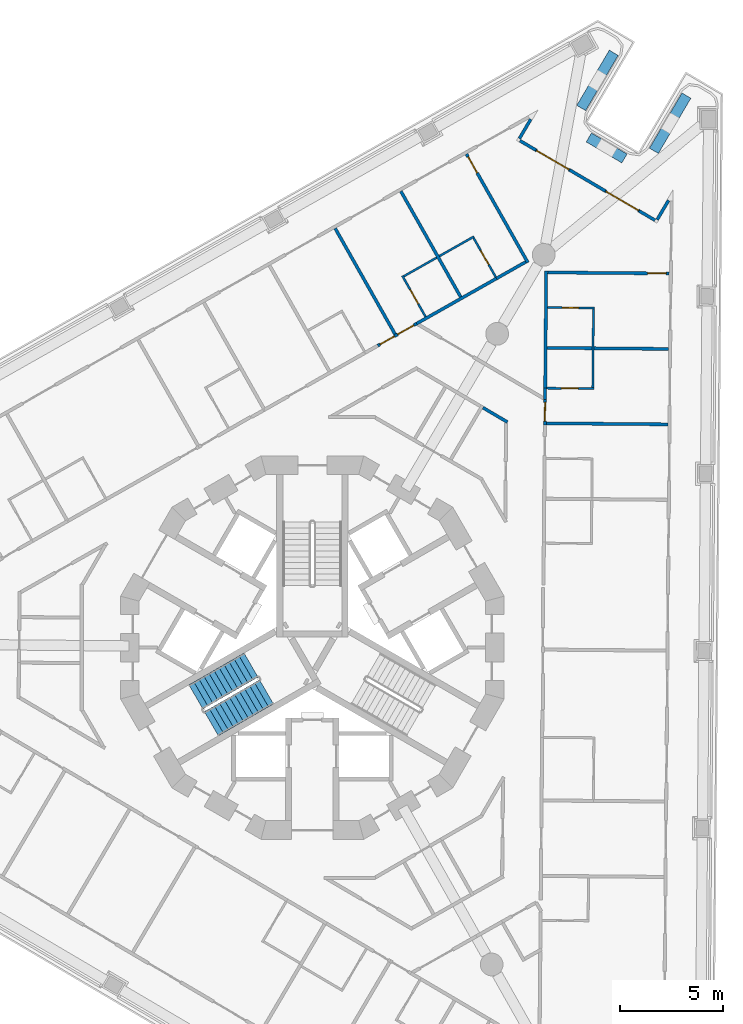
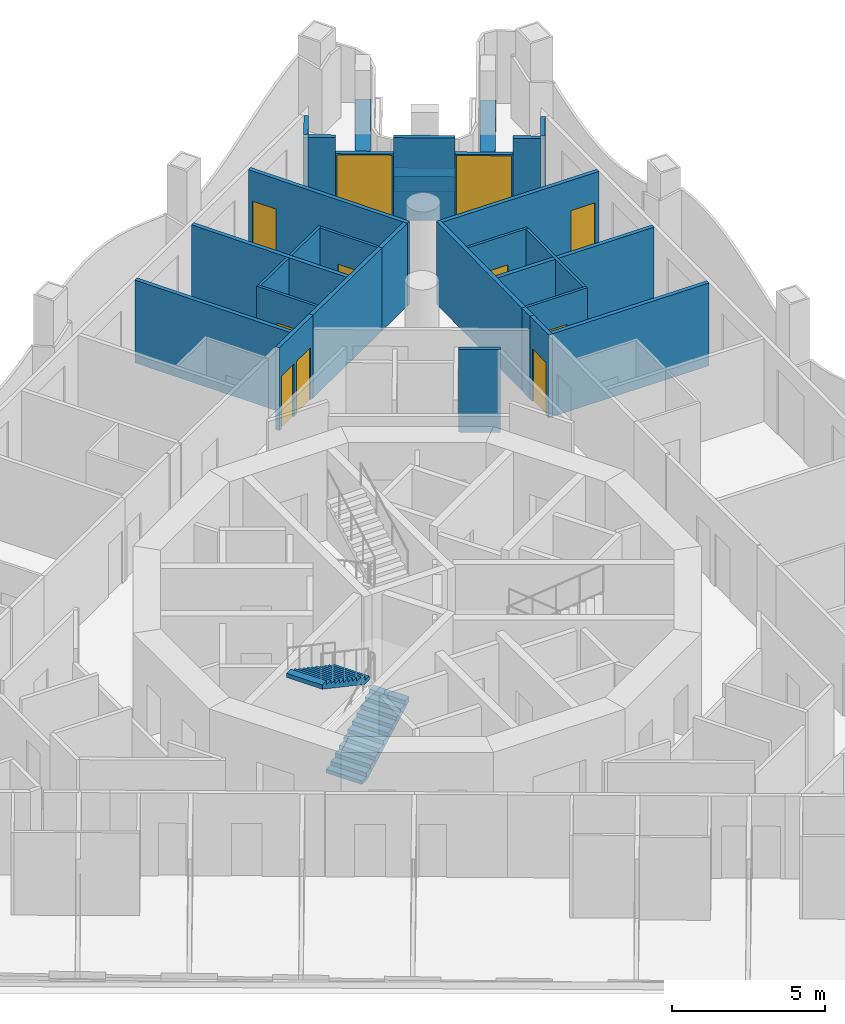
# One storey, part 10 of 18: 30 walls, 11 doors, 2 stair flights, 11 openings, 1 element without a shape of its own.
"""IFC4 building model written with IfcOpenShell, lengths in metres."""

from ifc_helpers import new_model, si_unit, direction, frame, frame_2d, origin, place, context, subcontext, project, spatial, polyline, rectangle, outline, extrude, material, layer, layer_set, type_object, element, fill, aggregate, save


model = new_model("IFC4")

# Units and contexts
model_context = context("Model", 3, precision=1e-05, world=origin(), true_north=direction((0.0, 1.0)))
body_context = subcontext(model_context, "Body", "Model", "MODEL_VIEW")
ifc_project = project(units=[si_unit("LENGTHUNIT", "METRE"), si_unit("AREAUNIT", "SQUARE_METRE"), si_unit("VOLUMEUNIT", "CUBIC_METRE"), si_unit("PLANEANGLEUNIT", "RADIAN"), si_unit("MASSUNIT", "GRAM", prefix="KILO")], contexts=[model_context])

# Site, building, storey
site_placement = place(None, origin())
site = spatial("IfcSite", under=ifc_project, at=site_placement, CompositionType="ELEMENT")
building_placement = place(site_placement, origin())
building = spatial("IfcBuilding", under=site, at=building_placement, Name="Trine Commons Tower", CompositionType="ELEMENT")
storey_placement = place(building_placement, frame((0.0, 0.0, 175.5)))
storey = spatial("IfcBuildingStorey", under=building, at=storey_placement, Name="L45", CompositionType="ELEMENT", Elevation=175.5)

# Walls
ifc_material_1 = material(Name="Aluminium-framed insulated wall panel", Category="aluminium")
ifc_layer_1 = layer(ifc_material_1, 0.14990234375)
ifc_layer_set_1 = layer_set([ifc_layer_1], Name="Aluminium-framed insulated wall panel")
wall_type_1 = type_object("IfcWallType", Name="Glazed frame wall 150, EI 60", PredefinedType="SOLIDWALL", material=ifc_layer_set_1)
wall_1_placement = place(storey_placement, frame((90.63720703125, 88.173583984375, 0.0), z_axis=(0.0, 0.0, 1.0), x_axis=(-0.507591242276, -0.861598009958, 0.0)))
element("IfcWall", 1, at=wall_1_placement, inside=storey, type_object=wall_type_1, Name="Glazed frame wall R5", PredefinedType="SOLIDWALL", context=body_context, shape_type="SweptSolid", body=[
    extrude(outline(polyline([(0.1494140625, 0.074951171875), (0.1494140625, -0.074951171875), (1.235107421875, -0.074951171875), (1.235107421875, 0.074951171875), (0.1494140625, 0.074951171875)])), origin(), (0.0, 0.0, 1.0), 3.300048828125),
])
wall_2_placement = place(storey_placement, frame((89.9423828125, 87.062744140625, 0.0), z_axis=(0.0, 0.0, 1.0), x_axis=(0.861601384654, -0.50758551394, 0.0)))
element("IfcWall", 2, at=wall_2_placement, inside=storey, type_object=wall_type_1, Name="Glazed frame wall P2.1", PredefinedType="SOLIDWALL", context=body_context, shape_type="SweptSolid", body=[
    extrude(outline(polyline([(0.110107421875, -0.074951171875), (1.0, -0.074951171875), (1.0, 0.074951171875), (0.110107421875, 0.074951171875), (0.110107421875, -0.074951171875)])), origin(), (0.0, 0.0, 1.0), 3.300048828125),
])

# Wall, opening, door
wall_3_placement = place(storey_placement, frame((90.803955078125, 86.55517578125, 0.0), z_axis=(0.0, 0.0, 1.0), x_axis=(0.861603693734, -0.50758159437, 0.0)))
wall_3 = element("IfcWall", 3, at=wall_3_placement, inside=storey, type_object=wall_type_1, Name="Glazed frame wall P2.2", PredefinedType="SOLIDWALL", context=body_context, shape_type="SweptSolid", body=[
    extrude(outline(polyline([(0.0, -0.074951171875), (1.89990234375, -0.074951171875), (1.89990234375, 0.074951171875), (0.0, 0.074951171875), (0.0, -0.074951171875)])), origin(), (0.0, 0.0, 1.0), 2.64990234375),
])
opening_1_placement = place(wall_3_placement, frame((0.050048828125, 0.0, 0.0)))
opening_1 = element("IfcOpeningElement", 4, at=opening_1_placement, cuts=wall_3, Name="Opening BD-5P2-01", PredefinedType="OPENING", context=body_context, shape_type="SweptSolid", body=[
    extrude(rectangle(XDim=1.800048828125, YDim=2.60009765625, at=frame_2d((0.89990234375, 1.300048828125))), frame((0.0, 0.0849609375, 0.0), z_axis=(0.0, -1.0, 0.0), x_axis=(1.0, 0.0, 0.0)), (0.0, 0.0, 1.0), 0.169921875),
])
ifc_material_2 = material(Name="Anodised aluminium frame with double glazing", Category="aluminium")
door_type_1 = type_object("IfcDoorType", Name="Sliding loggia door 1800x2600", OperationType="SLIDING_TO_LEFT", PredefinedType="DOOR", material=ifc_material_2)
door_1_placement = place(opening_1_placement, origin())
door_1 = element("IfcDoor", 5, at=door_1_placement, inside=storey, type_object=door_type_1, Name="Loggia door P2 1", OperationType="SLIDING_TO_LEFT", OverallHeight=2.60009765625, OverallWidth=1.800048828125, PredefinedType="DOOR", context=body_context, shape_type="SweptSolid", body=[
    extrude(rectangle(XDim=1.800048828125, YDim=2.60009765625, at=frame_2d((0.89990234375, 1.300048828125))), frame((0.0, 0.02490234375, 0.0), z_axis=(0.0, -1.0, 0.0), x_axis=(1.0, 0.0, 0.0)), (0.0, 0.0, 1.0), 0.050048828125),
])
fill(opening_1, door_1)

# Wall
wall_4_placement = place(storey_placement, frame((92.44091796875, 85.5908203125, 0.0), z_axis=(0.0, 0.0, 1.0), x_axis=(0.861632831324, -0.507532130988, 0.0)))
element("IfcWall", 6, at=wall_4_placement, inside=storey, type_object=wall_type_1, Name="Glazed frame wall P2.3", PredefinedType="SOLIDWALL", context=body_context, shape_type="SweptSolid", body=[
    extrude(outline(polyline([(0.0, -0.074951171875), (2.0, -0.074951171875), (2.0, 0.074951171875), (0.0, 0.074951171875), (0.0, -0.074951171875)])), origin(), (0.0, 0.0, 1.0), 3.300048828125),
])

# Wall, opening, door
wall_5_placement = place(storey_placement, frame((94.164306640625, 84.57568359375, 0.0), z_axis=(0.0, 0.0, 1.0), x_axis=(0.86165989029, -0.507486190418, 0.0)))
wall_5 = element("IfcWall", 7, at=wall_5_placement, inside=storey, type_object=wall_type_1, Name="Glazed frame wall P2.4", PredefinedType="SOLIDWALL", context=body_context, shape_type="SweptSolid", body=[
    extrude(outline(polyline([(0.0, -0.074951171875), (1.89990234375, -0.074951171875), (1.89990234375, 0.074951171875), (0.0, 0.074951171875), (0.0, -0.074951171875)])), origin(), (0.0, 0.0, 1.0), 2.64990234375),
])
opening_2_placement = place(wall_5_placement, frame((0.050048828125, 0.0, 0.0)))
opening_2 = element("IfcOpeningElement", 8, at=opening_2_placement, cuts=wall_5, Name="Opening BD-5P2-02", PredefinedType="OPENING", context=body_context, shape_type="SweptSolid", body=[
    extrude(rectangle(XDim=1.800048828125, YDim=2.60009765625, at=frame_2d((0.89990234375, 1.300048828125))), frame((0.0, 0.0849609375, 0.0), z_axis=(0.0, -1.0, 0.0), x_axis=(1.0, 0.0, 0.0)), (0.0, 0.0, 1.0), 0.169921875),
])
door_2_placement = place(opening_2_placement, origin())
door_2 = element("IfcDoor", 9, at=door_2_placement, inside=storey, type_object=door_type_1, Name="Loggia door P2 2", OperationType="SLIDING_TO_LEFT", OverallHeight=2.60009765625, OverallWidth=1.800048828125, PredefinedType="DOOR", context=body_context, shape_type="SweptSolid", body=[
    extrude(rectangle(XDim=1.800048828125, YDim=2.60009765625, at=frame_2d((0.89990234375, 1.300048828125))), frame((0.0, 0.02490234375, 0.0), z_axis=(0.0, -1.0, 0.0), x_axis=(1.0, 0.0, 0.0)), (0.0, 0.0, 1.0), 0.050048828125),
])
fill(opening_2, door_2)

# Walls
wall_6_placement = place(storey_placement, frame((95.80126953125, 83.611572265625, 0.0), z_axis=(0.0, 0.0, 1.0), x_axis=(0.861664268073, -0.507478757315, 0.0)))
element("IfcWall", 10, at=wall_6_placement, inside=storey, type_object=wall_type_1, Name="Glazed frame wall P2.5", PredefinedType="SOLIDWALL", context=body_context, shape_type="SweptSolid", body=[
    extrude(outline(polyline([(0.889892578125, 0.074951171875), (0.0, 0.074951171875), (0.0, -0.074951171875), (0.889892578125, -0.074951171875), (0.889892578125, 0.074951171875)])), origin(), (0.0, 0.0, 1.0), 3.300048828125),
])
wall_7_placement = place(storey_placement, frame((96.614990234375, 83.091552734375, 0.0), z_axis=(0.0, 0.0, 1.0), x_axis=(0.507511857062, 0.86164477306, 0.0)))
element("IfcWall", 11, at=wall_7_placement, inside=storey, type_object=wall_type_1, Name="Glazed frame wall R7", PredefinedType="SOLIDWALL", context=body_context, shape_type="SweptSolid", body=[
    extrude(outline(polyline([(0.110107421875, 0.074951171875), (0.110107421875, -0.074951171875), (1.19580078125, -0.074951171875), (1.19580078125, 0.074951171875), (0.110107421875, 0.074951171875)])), origin(), (0.0, 0.0, 1.0), 3.300048828125),
])
ifc_material_3 = material(Name="Planter trough, precast concrete C40/50", Category="concrete")
ifc_layer_2 = layer(ifc_material_3, 0.5)
ifc_layer_set_2 = layer_set([ifc_layer_2], Name="Planter trough, precast concrete C40/50")
wall_type_2 = type_object("IfcWallType", Name="Planter trough 500x600", PredefinedType="PARAPET", material=ifc_layer_set_2)
wall_8_placement = place(storey_placement, frame((94.572509765625, 91.25830078125, 0.0), z_axis=(0.0, 0.0, 1.0), x_axis=(-0.507587916184, -0.861599969443, 0.0)))
element("IfcWall", 12, at=wall_8_placement, inside=storey, type_object=wall_type_2, Name="Planter 4", PredefinedType="PARAPET", context=body_context, shape_type="SweptSolid", body=[
    extrude(rectangle(XDim=3.099853515625, YDim=0.5, at=frame_2d((1.5498046875, 0.0))), origin(), (0.0, 0.0, 1.0), 0.60009765625),
])
wall_9_placement = place(storey_placement, frame((93.3671875, 87.163330078125, 0.0), z_axis=(0.0, 0.0, 1.0), x_axis=(0.861632831324, -0.507532130988, 0.0)))
element("IfcWall", 13, at=wall_9_placement, inside=storey, type_object=wall_type_2, Name="Planter 5", PredefinedType="PARAPET", context=body_context, shape_type="SweptSolid", body=[
    extrude(rectangle(XDim=2.000244140625, YDim=0.5, at=frame_2d((1.0, 0.0))), origin(), (0.0, 0.0, 1.0), 0.60009765625),
])
wall_10_placement = place(storey_placement, frame((96.514404296875, 86.5166015625, 0.0), z_axis=(0.0, 0.0, 1.0), x_axis=(0.507587916184, 0.861599969443, 0.0)))
element("IfcWall", 14, at=wall_10_placement, inside=storey, type_object=wall_type_2, Name="Planter 6", PredefinedType="PARAPET", context=body_context, shape_type="SweptSolid", body=[
    extrude(rectangle(XDim=3.099853515625, YDim=0.5, at=frame_2d((1.5498046875, 0.0))), origin(), (0.0, 0.0, 1.0), 0.60009765625),
])
ifc_material_4 = material(Name="Gypsum plasterboard on steel stud", Category="steel")
ifc_layer_3 = layer(ifc_material_4, 0.14990234375)
ifc_layer_set_3 = layer_set([ifc_layer_3], Name="Gypsum plasterboard on steel stud")
wall_type_3 = type_object("IfcWallType", Name="Unit and corridor wall 150 mm, EI 60", PredefinedType="PARTITIONING", material=ifc_layer_set_3)
wall_11_placement = place(storey_placement, frame((81.103759765625, 82.769287109375, 0.0), z_axis=(0.0, 0.0, 1.0), x_axis=(0.492361245758, -0.870390948756, 0.0)))
element("IfcWall", 15, at=wall_11_placement, inside=storey, type_object=wall_type_3, Name="Partition 074", PredefinedType="PARTITIONING", context=body_context, shape_type="SweptSolid", body=[
    extrude(rectangle(XDim=5.87451171875, YDim=0.14990234375, at=frame_2d((2.937255859375, 0.0))), origin(), (0.0, 0.0, 1.0), 3.300048828125),
])

# Wall, openings, doors
wall_12_placement = place(storey_placement, frame((83.159912109375, 77.096923828125, 0.0), z_axis=(0.0, 0.0, 1.0), x_axis=(0.870310669697, 0.49250313523, 0.0)))
wall_12 = element("IfcWall", 16, at=wall_12_placement, inside=storey, type_object=wall_type_3, Name="Partition 080", PredefinedType="PARTITIONING", context=body_context, shape_type="SweptSolid", body=[
    extrude(rectangle(XDim=2.164794921875, YDim=0.14990234375, at=frame_2d((1.08251953125, 0.0))), origin(), (0.0, 0.0, 1.0), 3.300048828125),
])
opening_3_placement = place(wall_12_placement, frame((0.123046875, 0.0, 0.0)))
opening_3 = element("IfcOpeningElement", 17, at=opening_3_placement, cuts=wall_12, Name="Opening D-5B12", PredefinedType="OPENING", context=body_context, shape_type="SweptSolid", body=[
    extrude(rectangle(XDim=0.800048828125, YDim=2.10009765625, at=frame_2d((0.39990234375, 1.050048828125))), frame((0.0, 0.0849609375, 0.0), z_axis=(0.0, -1.0, 0.0), x_axis=(1.0, 0.0, 0.0)), (0.0, 0.0, 1.0), 0.169921875),
])
opening_4_placement = place(wall_12_placement, frame((1.10302734375, 0.0, 0.0)))
opening_4 = element("IfcOpeningElement", 18, at=opening_4_placement, cuts=wall_12, Name="Opening D-5B13", PredefinedType="OPENING", context=body_context, shape_type="SweptSolid", body=[
    extrude(rectangle(XDim=0.89990234375, YDim=2.10009765625, at=frame_2d((0.449951171875, 1.050048828125))), frame((0.0, 0.0849609375, 0.0), z_axis=(0.0, -1.0, 0.0), x_axis=(1.0, 0.0, 0.0)), (0.0, 0.0, 1.0), 0.169921875),
])
ifc_material_5 = material(Name="Timber fire door set", Category="wood")
door_type_2 = type_object("IfcDoorType", Name="Bedroom door 800 x 2100, FD30S", OperationType="NOTDEFINED", PredefinedType="DOOR", material=ifc_material_5)
door_3_placement = place(opening_3_placement, origin())
door_3 = element("IfcDoor", 19, at=door_3_placement, inside=storey, type_object=door_type_2, Name="Door D-5B12", OperationType="SINGLE_SWING_LEFT", OverallHeight=2.10009765625, OverallWidth=0.800048828125, PredefinedType="DOOR", context=body_context, shape_type="SweptSolid", body=[
    extrude(rectangle(XDim=0.800048828125, YDim=2.10009765625, at=frame_2d((0.39990234375, 1.050048828125))), frame((0.0, 0.02490234375, 0.0), z_axis=(0.0, -1.0, 0.0), x_axis=(1.0, 0.0, 0.0)), (0.0, 0.0, 1.0), 0.050048828125),
])
fill(opening_3, door_3)
door_type_3 = type_object("IfcDoorType", Name="Bedroom door 900 x 2100, FD30S", OperationType="NOTDEFINED", PredefinedType="DOOR", material=ifc_material_5)
door_4_placement = place(opening_4_placement, origin())
door_4 = element("IfcDoor", 20, at=door_4_placement, inside=storey, type_object=door_type_3, Name="Door D-5B13", OperationType="SINGLE_SWING_RIGHT", OverallHeight=2.10009765625, OverallWidth=0.89990234375, PredefinedType="DOOR", context=body_context, shape_type="SweptSolid", body=[
    extrude(rectangle(XDim=0.89990234375, YDim=2.10009765625, at=frame_2d((0.449951171875, 1.050048828125))), frame((0.0, 0.02490234375, 0.0), z_axis=(0.0, -1.0, 0.0), x_axis=(1.0, 0.0, 0.0)), (0.0, 0.0, 1.0), 0.050048828125),
])
fill(opening_4, door_4)

# Walls
wall_13_placement = place(storey_placement, frame((84.27880859375, 84.565185546875, 0.0), z_axis=(0.0, 0.0, 1.0), x_axis=(0.4923790567, -0.870380873252, 0.0)))
element("IfcWall", 21, at=wall_13_placement, inside=storey, type_object=wall_type_3, Name="Partition 085", PredefinedType="PARTITIONING", context=body_context, shape_type="SweptSolid", body=[
    extrude(rectangle(XDim=5.874267578125, YDim=0.14990234375, at=frame_2d((2.93701171875, 0.0))), origin(), (0.0, 0.0, 1.0), 3.300048828125),
])
wall_14_placement = place(storey_placement, frame((85.0439453125, 78.1630859375, 0.0), z_axis=(0.0, 0.0, 1.0), x_axis=(0.870383507411, 0.492374400256, 0.0)))
element("IfcWall", 22, at=wall_14_placement, inside=storey, type_object=wall_type_3, Name="Partition 094", PredefinedType="PARTITIONING", context=body_context, shape_type="SweptSolid", body=[
    extrude(rectangle(XDim=4.4892578125, YDim=0.14990234375, at=frame_2d((2.24462890625, 0.0))), origin(), (0.0, 0.0, 1.0), 3.300048828125),
])

# Wall, opening, door
wall_15_placement = place(storey_placement, frame((87.45263671875, 86.361083984375, 0.0), z_axis=(0.0, 0.0, 1.0), x_axis=(0.492389730591, -0.870374834889, 0.0)))
wall_15 = element("IfcWall", 23, at=wall_15_placement, inside=storey, type_object=wall_type_3, Name="Partition 105", PredefinedType="PARTITIONING", context=body_context, shape_type="SweptSolid", body=[
    extrude(rectangle(XDim=6.0244140625, YDim=0.14990234375, at=frame_2d((3.01220703125, 0.0))), origin(), (0.0, 0.0, 1.0), 3.300048828125),
])
opening_5_placement = place(wall_15_placement, frame((0.14990234375, 0.0, 0.0)))
opening_5 = element("IfcOpeningElement", 24, at=opening_5_placement, cuts=wall_15, Name="Opening D-5B14", PredefinedType="OPENING", context=body_context, shape_type="SweptSolid", body=[
    extrude(rectangle(XDim=0.89990234375, YDim=2.10009765625, at=frame_2d((0.449951171875, 1.050048828125))), frame((0.0, 0.0849609375, 0.0), z_axis=(0.0, -1.0, 0.0), x_axis=(1.0, 0.0, 0.0)), (0.0, 0.0, 1.0), 0.169921875),
])
door_5_placement = place(opening_5_placement, frame((0.89990234375, 0.0, 0.0), z_axis=(0.0, 0.0, 1.0), x_axis=(-1.0, 0.0, 0.0)))
door_5 = element("IfcDoor", 25, at=door_5_placement, inside=storey, type_object=door_type_3, Name="Door D-5B14", OperationType="SINGLE_SWING_RIGHT", OverallHeight=2.10009765625, OverallWidth=0.89990234375, PredefinedType="DOOR", context=body_context, shape_type="SweptSolid", body=[
    extrude(rectangle(XDim=0.89990234375, YDim=2.10009765625, at=frame_2d((0.449951171875, 1.050048828125))), frame((0.0, 0.02490234375, 0.0), z_axis=(0.0, -1.0, 0.0), x_axis=(1.0, 0.0, 0.0)), (0.0, 0.0, 1.0), 0.050048828125),
])
fill(opening_5, door_5)

# Walls
wall_16_placement = place(storey_placement, frame((88.24951171875, 74.098876953125, 0.0), z_axis=(0.0, 0.0, 1.0), x_axis=(0.861463535888, -0.507819432805, 0.0)))
element("IfcWall", 26, at=wall_16_placement, inside=storey, type_object=wall_type_3, Name="Partition 111", PredefinedType="PARTITIONING", context=body_context, shape_type="SweptSolid", body=[
    extrude(rectangle(XDim=1.37451171875, YDim=0.14990234375, at=frame_2d((0.687255859375, 0.0))), origin(), (0.0, 0.0, 1.0), 3.300048828125),
])
wall_17_placement = place(storey_placement, frame((88.902099609375, 80.344970703125, 0.0), z_axis=(0.0, 0.0, 1.0), x_axis=(0.870168163768, 0.492754874927, 0.0)))
element("IfcWall", 27, at=wall_17_placement, inside=storey, type_object=wall_type_3, Name="Partition 113", PredefinedType="PARTITIONING", context=body_context, shape_type="SweptSolid", body=[
    extrude(rectangle(XDim=1.62548828125, YDim=0.14990234375, at=frame_2d((0.812744140625, 0.0))), origin(), (0.0, 0.0, 1.0), 3.300048828125),
])

# Wall, opening, door
wall_18_placement = place(storey_placement, frame((91.242431640625, 73.264892578125, 0.0), z_axis=(0.0, 0.0, 1.0), x_axis=(0.008465930109, 0.999964163372, 0.0)))
wall_18 = element("IfcWall", 28, at=wall_18_placement, inside=storey, type_object=wall_type_3, Name="Partition 136", PredefinedType="PARTITIONING", context=body_context, shape_type="SweptSolid", body=[
    extrude(rectangle(XDim=1.239990234375, YDim=0.14990234375, at=frame_2d((0.6201171875, 0.0))), origin(), (0.0, 0.0, 1.0), 3.300048828125),
])
opening_6_placement = place(wall_18_placement, frame((0.18505859375, 0.0, 0.0)))
opening_6 = element("IfcOpeningElement", 29, at=opening_6_placement, cuts=wall_18, Name="Opening D-5B16", PredefinedType="OPENING", context=body_context, shape_type="SweptSolid", body=[
    extrude(rectangle(XDim=0.89990234375, YDim=2.10009765625, at=frame_2d((0.449951171875, 1.050048828125))), frame((0.0, 0.0849609375, 0.0), z_axis=(0.0, -1.0, 0.0), x_axis=(1.0, 0.0, 0.0)), (0.0, 0.0, 1.0), 0.169921875),
])
door_6_placement = place(opening_6_placement, frame((0.89990234375, 0.0, 0.0), z_axis=(0.0, 0.0, 1.0), x_axis=(-1.0, 0.0, 0.0)))
door_6 = element("IfcDoor", 30, at=door_6_placement, inside=storey, type_object=door_type_3, Name="Door D-5B16", OperationType="SINGLE_SWING_LEFT", OverallHeight=2.10009765625, OverallWidth=0.89990234375, PredefinedType="DOOR", context=body_context, shape_type="SweptSolid", body=[
    extrude(rectangle(XDim=0.89990234375, YDim=2.10009765625, at=frame_2d((0.449951171875, 1.050048828125))), frame((0.0, 0.02490234375, 0.0), z_axis=(0.0, -1.0, 0.0), x_axis=(1.0, 0.0, 0.0)), (0.0, 0.0, 1.0), 0.050048828125),
])
fill(opening_6, door_6)

# Walls
wall_19_placement = place(storey_placement, frame((91.318115234375, 73.34326171875, 0.0), z_axis=(0.0, 0.0, 1.0), x_axis=(0.999962270343, -0.008686650089, 0.0)))
element("IfcWall", 31, at=wall_19_placement, inside=storey, type_object=wall_type_3, Name="Partition 137", PredefinedType="PARTITIONING", context=body_context, shape_type="SweptSolid", body=[
    extrude(rectangle(XDim=5.8740234375, YDim=0.14990234375, at=frame_2d((2.93701171875, 0.0))), origin(), (0.0, 0.0, 1.0), 3.300048828125),
])
wall_20_placement = place(storey_placement, frame((91.2529296875, 74.5048828125, 0.0), z_axis=(0.0, 0.0, 1.0), x_axis=(0.009493243084, 0.999954938153, 0.0)))
element("IfcWall", 32, at=wall_20_placement, inside=storey, type_object=wall_type_3, Name="Partition 138", PredefinedType="PARTITIONING", context=body_context, shape_type="SweptSolid", body=[
    extrude(rectangle(XDim=0.5400390625, YDim=0.14990234375, at=frame_2d((0.27001953125, 0.0))), origin(), (0.0, 0.0, 1.0), 3.300048828125),
])
wall_21_placement = place(storey_placement, frame((91.257568359375, 74.987060546875, 0.0), z_axis=(0.0, 0.0, 1.0), x_axis=(0.008740552131, 0.999961800645, 0.0)))
element("IfcWall", 33, at=wall_21_placement, inside=storey, type_object=wall_type_3, Name="Partition 139", PredefinedType="PARTITIONING", context=body_context, shape_type="SweptSolid", body=[
    extrude(rectangle(XDim=5.72607421875, YDim=0.14990234375, at=frame_2d((2.863037109375, 0.0))), origin(), (0.0, 0.0, 1.0), 3.300048828125),
])
wall_22_placement = place(storey_placement, frame((91.35009765625, 76.990234375, 0.0), z_axis=(0.0, 0.0, 1.0), x_axis=(0.999962273479, -0.008686289076, 0.0)))
element("IfcWall", 34, at=wall_22_placement, inside=storey, type_object=wall_type_3, Name="Partition 141", PredefinedType="PARTITIONING", context=body_context, shape_type="SweptSolid", body=[
    extrude(rectangle(XDim=5.874267578125, YDim=0.14990234375, at=frame_2d((2.93701171875, 0.0))), origin(), (0.0, 0.0, 1.0), 3.300048828125),
])

# Wall, opening, door
wall_23_placement = place(storey_placement, frame((91.382080078125, 80.63720703125, 0.0), z_axis=(0.0, 0.0, 1.0), x_axis=(0.999962273479, -0.008686289076, 0.0)))
wall_23 = element("IfcWall", 35, at=wall_23_placement, inside=storey, type_object=wall_type_3, Name="Partition 143", PredefinedType="PARTITIONING", context=body_context, shape_type="SweptSolid", body=[
    extrude(rectangle(XDim=5.874267578125, YDim=0.14990234375, at=frame_2d((2.93701171875, 0.0))), origin(), (0.0, 0.0, 1.0), 3.300048828125),
])
opening_7_placement = place(wall_23_placement, frame((4.82421875, 0.0, 0.0)))
opening_7 = element("IfcOpeningElement", 36, at=opening_7_placement, cuts=wall_23, Name="Opening D-5B15", PredefinedType="OPENING", context=body_context, shape_type="SweptSolid", body=[
    extrude(rectangle(XDim=0.89990234375, YDim=2.10009765625, at=frame_2d((0.449951171875, 1.050048828125))), frame((0.0, 0.0849609375, 0.0), z_axis=(0.0, -1.0, 0.0), x_axis=(1.0, 0.0, 0.0)), (0.0, 0.0, 1.0), 0.169921875),
])
door_7_placement = place(opening_7_placement, frame((0.89990234375, 0.0, 0.0), z_axis=(0.0, 0.0, 1.0), x_axis=(-1.0, 0.0, 0.0)))
door_7 = element("IfcDoor", 37, at=door_7_placement, inside=storey, type_object=door_type_3, Name="Door D-5B15", OperationType="SINGLE_SWING_LEFT", OverallHeight=2.10009765625, OverallWidth=0.89990234375, PredefinedType="DOOR", context=body_context, shape_type="SweptSolid", body=[
    extrude(rectangle(XDim=0.89990234375, YDim=2.10009765625, at=frame_2d((0.449951171875, 1.050048828125))), frame((0.0, 0.02490234375, 0.0), z_axis=(0.0, -1.0, 0.0), x_axis=(1.0, 0.0, 0.0)), (0.0, 0.0, 1.0), 0.050048828125),
])
fill(opening_7, door_7)

ifc_layer_4 = layer(ifc_material_4, 0.10009765625)
ifc_layer_set_4 = layer_set([ifc_layer_4], Name="Gypsum plasterboard on steel stud")
wall_type_4 = type_object("IfcWallType", Name="Unit partition 100 mm, no rating", PredefinedType="PARTITIONING", material=ifc_layer_set_4)
wall_24_placement = place(storey_placement, frame((84.353515625, 80.471435546875, 0.0), z_axis=(0.0, 0.0, 1.0), x_axis=(0.492690247552, -0.870204757495, 0.0)))
wall_24 = element("IfcWall", 38, at=wall_24_placement, inside=storey, type_object=wall_type_4, Name="Partition 086", PredefinedType="PARTITIONING", context=body_context, shape_type="SweptSolid", body=[
    extrude(rectangle(XDim=2.2744140625, YDim=0.10009765625, at=frame_2d((1.13720703125, 0.0))), origin(), (0.0, 0.0, 1.0), 3.300048828125),
])
opening_8_placement = place(wall_24_placement, frame((0.76220703125, 0.0, 0.0)))
opening_8 = element("IfcOpeningElement", 39, at=opening_8_placement, cuts=wall_24, Name="Opening D-5B45", PredefinedType="OPENING", context=body_context, shape_type="SweptSolid", body=[
    extrude(rectangle(XDim=0.800048828125, YDim=2.10009765625, at=frame_2d((0.39990234375, 1.050048828125))), frame((0.0, 0.06005859375, 0.0), z_axis=(0.0, -1.0, 0.0), x_axis=(1.0, 0.0, 0.0)), (0.0, 0.0, 1.0), 0.1201171875),
])
ifc_material_6 = material(Name="Painted timber", Category="wood")
door_type_4 = type_object("IfcDoorType", Name="Internal door 800 x 2100, NOT RATED", OperationType="NOTDEFINED", PredefinedType="DOOR", material=ifc_material_6)
door_8_placement = place(opening_8_placement, frame((0.800048828125, 0.0, 0.0), z_axis=(0.0, 0.0, 1.0), x_axis=(-1.0, 0.0, 0.0)))
door_8 = element("IfcDoor", 40, at=door_8_placement, inside=storey, type_object=door_type_4, Name="Door D-5B45", OperationType="SINGLE_SWING_LEFT", OverallHeight=2.10009765625, OverallWidth=0.800048828125, PredefinedType="DOOR", context=body_context, shape_type="SweptSolid", body=[
    extrude(rectangle(XDim=0.800048828125, YDim=2.10009765625, at=frame_2d((0.39990234375, 1.050048828125))), frame((0.0, 0.02490234375, 0.0), z_axis=(0.0, -1.0, 0.0), x_axis=(1.0, 0.0, 0.0)), (0.0, 0.0, 1.0), 0.050048828125),
])
fill(opening_8, door_8)

# Walls
wall_25_placement = place(storey_placement, frame((84.42138671875, 80.45263671875, 0.0), z_axis=(0.0, 0.0, 1.0), x_axis=(0.870178952447, 0.492735822443, 0.0)))
element("IfcWall", 41, at=wall_25_placement, inside=storey, type_object=wall_type_4, Name="Partition 087", PredefinedType="PARTITIONING", context=body_context, shape_type="SweptSolid", body=[
    extrude(rectangle(XDim=1.825439453125, YDim=0.10009765625, at=frame_2d((0.91259765625, 0.0))), origin(), (0.0, 0.0, 1.0), 3.300048828125),
])
wall_26_placement = place(storey_placement, frame((86.140380859375, 81.42578125, 0.0), z_axis=(0.0, 0.0, 1.0), x_axis=(0.870343029739, 0.492445946866, 0.0)))
element("IfcWall", 42, at=wall_26_placement, inside=storey, type_object=wall_type_4, Name="Partition 099", PredefinedType="PARTITIONING", context=body_context, shape_type="SweptSolid", body=[
    extrude(rectangle(XDim=1.924560546875, YDim=0.10009765625, at=frame_2d((0.96240234375, 0.0))), origin(), (0.0, 0.0, 1.0), 3.300048828125),
])

# Wall, opening, door
wall_27_placement = place(storey_placement, frame((87.796630859375, 82.305419921875, 0.0), z_axis=(0.0, 0.0, 1.0), x_axis=(0.492593408535, -0.870259578441, 0.0)))
wall_27 = element("IfcWall", 43, at=wall_27_placement, inside=storey, type_object=wall_type_4, Name="Partition 107", PredefinedType="PARTITIONING", context=body_context, shape_type="SweptSolid", body=[
    extrude(rectangle(XDim=2.17529296875, YDim=0.10009765625, at=frame_2d((1.087646484375, 0.0))), origin(), (0.0, 0.0, 1.0), 3.300048828125),
])
opening_9_placement = place(wall_27_placement, frame((0.6875, 0.0, 0.0)))
opening_9 = element("IfcOpeningElement", 44, at=opening_9_placement, cuts=wall_27, Name="Opening D-5B46", PredefinedType="OPENING", context=body_context, shape_type="SweptSolid", body=[
    extrude(rectangle(XDim=0.800048828125, YDim=2.10009765625, at=frame_2d((0.39990234375, 1.050048828125))), frame((0.0, 0.06005859375, 0.0), z_axis=(0.0, -1.0, 0.0), x_axis=(1.0, 0.0, 0.0)), (0.0, 0.0, 1.0), 0.1201171875),
])
door_9_placement = place(opening_9_placement, origin())
door_9 = element("IfcDoor", 45, at=door_9_placement, inside=storey, type_object=door_type_4, Name="Door D-5B46", OperationType="SINGLE_SWING_LEFT", OverallHeight=2.10009765625, OverallWidth=0.800048828125, PredefinedType="DOOR", context=body_context, shape_type="SweptSolid", body=[
    extrude(rectangle(XDim=0.800048828125, YDim=2.10009765625, at=frame_2d((0.39990234375, 1.050048828125))), frame((0.0, 0.02490234375, 0.0), z_axis=(0.0, -1.0, 0.0), x_axis=(1.0, 0.0, 0.0)), (0.0, 0.0, 1.0), 0.050048828125),
])
fill(opening_9, door_9)

wall_28_placement = place(storey_placement, frame((91.3330078125, 75.040283203125, 0.0), z_axis=(0.0, 0.0, 1.0), x_axis=(0.999962219299, -0.008692524121, 0.0)))
wall_28 = element("IfcWall", 46, at=wall_28_placement, inside=storey, type_object=wall_type_4, Name="Partition 140", PredefinedType="PARTITIONING", context=body_context, shape_type="SweptSolid", body=[
    extrude(rectangle(XDim=2.27490234375, YDim=0.10009765625, at=frame_2d((1.137451171875, 0.0))), origin(), (0.0, 0.0, 1.0), 3.300048828125),
])
opening_10_placement = place(wall_28_placement, frame((0.71240234375, 0.0, 0.0)))
opening_10 = element("IfcOpeningElement", 47, at=opening_10_placement, cuts=wall_28, Name="Opening D-5B48", PredefinedType="OPENING", context=body_context, shape_type="SweptSolid", body=[
    extrude(rectangle(XDim=0.800048828125, YDim=2.10009765625, at=frame_2d((0.39990234375, 1.050048828125))), frame((0.0, 0.06005859375, 0.0), z_axis=(0.0, -1.0, 0.0), x_axis=(1.0, 0.0, 0.0)), (0.0, 0.0, 1.0), 0.1201171875),
])
door_10_placement = place(opening_10_placement, frame((0.800048828125, 0.0, 0.0), z_axis=(0.0, 0.0, 1.0), x_axis=(-1.0, 0.0, 0.0)))
door_10 = element("IfcDoor", 48, at=door_10_placement, inside=storey, type_object=door_type_4, Name="Door D-5B48", OperationType="SINGLE_SWING_RIGHT", OverallHeight=2.10009765625, OverallWidth=0.800048828125, PredefinedType="DOOR", context=body_context, shape_type="SweptSolid", body=[
    extrude(rectangle(XDim=0.800048828125, YDim=2.10009765625, at=frame_2d((0.39990234375, 1.050048828125))), frame((0.0, 0.02490234375, 0.0), z_axis=(0.0, -1.0, 0.0), x_axis=(1.0, 0.0, 0.0)), (0.0, 0.0, 1.0), 0.050048828125),
])
fill(opening_10, door_10)

wall_29_placement = place(storey_placement, frame((91.366943359375, 78.940185546875, 0.0), z_axis=(0.0, 0.0, 1.0), x_axis=(0.999963154254, -0.008584295776, 0.0)))
wall_29 = element("IfcWall", 49, at=wall_29_placement, inside=storey, type_object=wall_type_4, Name="Partition 142", PredefinedType="PARTITIONING", context=body_context, shape_type="SweptSolid", body=[
    extrude(rectangle(XDim=2.275146484375, YDim=0.10009765625, at=frame_2d((1.1376953125, 0.0))), origin(), (0.0, 0.0, 1.0), 3.300048828125),
])
opening_11_placement = place(wall_29_placement, frame((0.71240234375, 0.0, 0.0)))
opening_11 = element("IfcOpeningElement", 50, at=opening_11_placement, cuts=wall_29, Name="Opening D-5B47", PredefinedType="OPENING", context=body_context, shape_type="SweptSolid", body=[
    extrude(rectangle(XDim=0.800048828125, YDim=2.10009765625, at=frame_2d((0.39990234375, 1.050048828125))), frame((0.0, 0.06005859375, 0.0), z_axis=(0.0, -1.0, 0.0), x_axis=(1.0, 0.0, 0.0)), (0.0, 0.0, 1.0), 0.1201171875),
])
door_11_placement = place(opening_11_placement, origin())
door_11 = element("IfcDoor", 51, at=door_11_placement, inside=storey, type_object=door_type_4, Name="Door D-5B47", OperationType="SINGLE_SWING_LEFT", OverallHeight=2.10009765625, OverallWidth=0.800048828125, PredefinedType="DOOR", context=body_context, shape_type="SweptSolid", body=[
    extrude(rectangle(XDim=0.800048828125, YDim=2.10009765625, at=frame_2d((0.39990234375, 1.050048828125))), frame((0.0, 0.02490234375, 0.0), z_axis=(0.0, -1.0, 0.0), x_axis=(1.0, 0.0, 0.0)), (0.0, 0.0, 1.0), 0.050048828125),
])
fill(opening_11, door_11)

# Wall
wall_30_placement = place(storey_placement, frame((93.558349609375, 75.071044921875, 0.0), z_axis=(0.0, 0.0, 1.0), x_axis=(0.008737218686, 0.999961829776, 0.0)))
element("IfcWall", 52, at=wall_30_placement, inside=storey, type_object=wall_type_4, Name="Partition 148", PredefinedType="PARTITIONING", context=body_context, shape_type="SweptSolid", body=[
    extrude(rectangle(XDim=3.80029296875, YDim=0.10009765625, at=frame_2d((1.900146484375, 0.0))), origin(), (0.0, 0.0, 1.0), 3.300048828125),
])

# Stair, stair flights
ifc_material_7 = material(Name="Concrete C50/60", Category="concrete")
stair_type = type_object("IfcStairType", Name="Exit stair, dog-leg, 24 risers of 150 mm", PredefinedType="HALF_TURN_STAIR", material=ifc_material_7)
stair_placement = place(storey_placement, origin())
stair = element("IfcStair", 53, at=stair_placement, inside=storey, type_object=stair_type, Name="L45 Exit stair ST2B", PredefinedType="HALF_TURN_STAIR")
stair_flight_type = type_object("IfcStairFlightType", Name="Stair flight, 1350 wide, 12 risers of 150 mm", PredefinedType="STRAIGHT", material=ifc_material_7)
stair_flight_1_placement = place(storey_placement, frame((75.11767578125, 58.815185546875, 0.0), z_axis=(0.0, 0.0, 1.0), x_axis=(0.866025403784, 0.5, 0.0)))
stair_flight_1 = element("IfcStairFlight", 54, at=stair_flight_1_placement, type_object=stair_flight_type, Name="ST2B flight 1", NumberOfRisers=12, NumberOfTreads=11, PredefinedType="STRAIGHT", RiserHeight=0.15, TreadLength=0.28, context=body_context, shape_type="SweptSolid", body=[
    extrude(outline(polyline([(0.0, 0.0), (0.0, 0.14990234375), (0.280029296875, 0.14990234375), (0.280029296875, 0.300048828125), (0.56005859375, 0.300048828125), (0.56005859375, 0.449951171875), (0.840087890625, 0.449951171875), (0.840087890625, 0.60009765625), (1.1201171875, 0.60009765625), (1.1201171875, 0.75), (1.39990234375, 0.75), (1.39990234375, 0.89990234375), (1.679931640625, 0.89990234375), (1.679931640625, 1.050048828125), (1.9599609375, 1.050048828125), (1.9599609375, 1.199951171875), (2.239990234375, 1.199951171875), (2.239990234375, 1.35009765625), (2.52001953125, 1.35009765625), (2.52001953125, 1.5), (2.800048828125, 1.5), (2.800048828125, 1.64990234375), (3.080078125, 1.64990234375), (3.080078125, 1.800048828125), (3.080078125, 1.47998046875), (0.3173828125, 0.0), (0.0, 0.0)])), frame((0.0, 0.675048828125, 0.0), z_axis=(0.0, -1.0, 0.0), x_axis=(1.0, 0.0, 0.0)), (0.0, 0.0, 1.0), 1.35009765625),
])
stair_flight_2_placement = place(storey_placement, frame((77.03515625, 61.654296875, 1.800048828125), z_axis=(0.0, 0.0, 1.0), x_axis=(-0.866025403784, -0.5, 0.0)))
stair_flight_2 = element("IfcStairFlight", 55, at=stair_flight_2_placement, type_object=stair_flight_type, Name="ST2B flight 2", NumberOfRisers=12, NumberOfTreads=11, PredefinedType="STRAIGHT", RiserHeight=0.15, TreadLength=0.28, context=body_context, shape_type="SweptSolid", body=[
    extrude(outline(polyline([(0.0, 0.0), (0.0, 0.14990234375), (0.280029296875, 0.14990234375), (0.280029296875, 0.300048828125), (0.56005859375, 0.300048828125), (0.56005859375, 0.449951171875), (0.840087890625, 0.449951171875), (0.840087890625, 0.60009765625), (1.1201171875, 0.60009765625), (1.1201171875, 0.75), (1.39990234375, 0.75), (1.39990234375, 0.89990234375), (1.679931640625, 0.89990234375), (1.679931640625, 1.050048828125), (1.9599609375, 1.050048828125), (1.9599609375, 1.199951171875), (2.239990234375, 1.199951171875), (2.239990234375, 1.35009765625), (2.52001953125, 1.35009765625), (2.52001953125, 1.5), (2.800048828125, 1.5), (2.800048828125, 1.64990234375), (3.080078125, 1.64990234375), (3.080078125, 1.800048828125), (3.080078125, 1.47998046875), (0.3173828125, 0.0), (0.0, 0.0)])), frame((0.0, 0.675048828125, 0.0), z_axis=(0.0, -1.0, 0.0), x_axis=(1.0, 0.0, 0.0)), (0.0, 0.0, 1.0), 1.35009765625),
])
aggregate(stair, [stair_flight_1, stair_flight_2])

save(model, "model.ifc")
